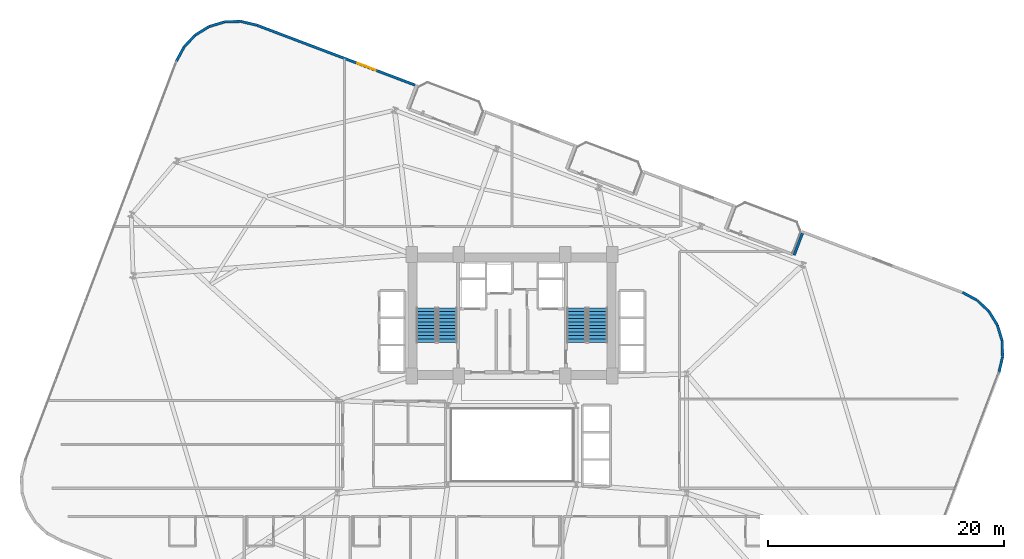
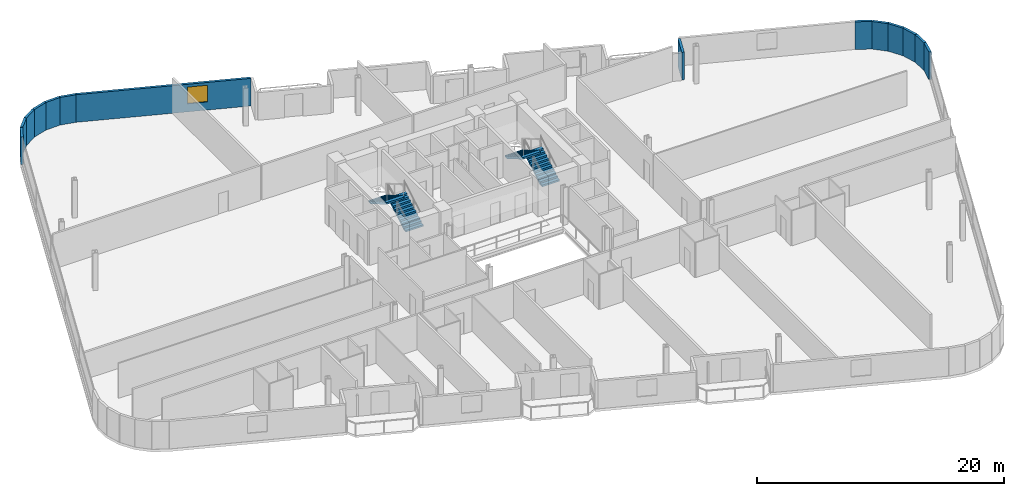
# One storey, part 21 of 25: 14 walls, 4 stair flights, 1 window, 1 opening, 2 elements without a shape of their own.
"""IFC4 building model written with IfcOpenShell, lengths in metres."""

from ifc_helpers import new_model, si_unit, direction, frame, frame_2d, origin, place, context, subcontext, project, spatial, polyline, rectangle, outline, extrude, material, layer, layer_set, type_object, element, fill, aggregate, save


model = new_model("IFC4")

# Units and contexts
model_context = context("Model", 3, precision=1e-05, world=origin(), true_north=direction((0.0, 1.0)))
body_context = subcontext(model_context, "Body", "Model", "MODEL_VIEW")
ifc_project = project(units=[si_unit("LENGTHUNIT", "METRE"), si_unit("AREAUNIT", "SQUARE_METRE"), si_unit("VOLUMEUNIT", "CUBIC_METRE"), si_unit("PLANEANGLEUNIT", "RADIAN"), si_unit("MASSUNIT", "GRAM", prefix="KILO")], contexts=[model_context])

# Site, building, storey
site_placement = place(None, origin())
site = spatial("IfcSite", under=ifc_project, at=site_placement, CompositionType="ELEMENT")
building_placement = place(site_placement, origin())
building = spatial("IfcBuilding", under=site, at=building_placement, Name="Varnelok Gate Tower", CompositionType="ELEMENT")
storey_placement = place(building_placement, frame((0.0, 0.0, 83.60009765625)))
storey = spatial("IfcBuildingStorey", under=building, at=storey_placement, Name="L20", CompositionType="ELEMENT", Elevation=83.60009765625)

# Walls
ifc_material_1 = material(Name="Concrete C45/55", Category="concrete")
ifc_layer = layer(ifc_material_1, 0.219970703125)
ifc_layer_set = layer_set([ifc_layer], Name="Concrete C45/55")
wall_type = type_object("IfcWallType", Name="EW-BALC-220", PredefinedType="SOLIDWALL", material=ifc_layer_set)
wall_1_placement = place(storey_placement, frame((80.47265625, 29.0283203125, 0.0), z_axis=(0.0, 0.0, 1.0), x_axis=(0.228881345311, 0.973454328548, 0.0)))
element("IfcWall", 1, at=wall_1_placement, inside=storey, type_object=wall_type, Name="L20 Perimeter Facade Closure Wall 23", PredefinedType="SOLIDWALL", context=body_context, shape_type="SweptSolid", body=[
    extrude(rectangle(XDim=1.378173828125, YDim=0.219970703125, at=frame_2d((0.68896484375, 0.0))), origin(), (0.0, 0.0, 1.0), 2.72998046875),
])
for number, where, z_axis, x_axis, name in (
    (2, (80.787353515625, 30.39501953125, 0.0), (0.0, 0.0, 1.0), (-0.030857297317, 0.999523800218, 0.0), "L20 Perimeter Facade Closure Wall 24"),
    (3, (80.738525390625, 31.771240234375, 0.0), (0.0, 0.0, 1.0), (-0.28832436625, 0.957532798303, 0.0), "L20 Perimeter Facade Closure Wall 25"),
    (4, (80.335205078125, 33.088134765625, 0.0), (0.0, 0.0, 1.0), (-0.526491260456, 0.850180541217, 0.0), "L20 Perimeter Facade Closure Wall 26"),
    (5, (79.6044921875, 34.255615234375, 0.0), (0.0, 0.0, 1.0), (-0.72842773461, 0.685122642634, 0.0), "L20 Perimeter Facade Closure Wall 27"),
):
    element("IfcWall", number, at=place(storey_placement, frame(where, z_axis=z_axis, x_axis=x_axis)), inside=storey, type_object=wall_type, Name=name, PredefinedType="SOLIDWALL", context=body_context, shape_type="SweptSolid", body=[
        extrude(rectangle(XDim=1.35302734375, YDim=0.219970703125, at=frame_2d((0.676513671875, 0.0))), origin(), (0.0, 0.0, 1.0), 2.72998046875),
    ])
wall_2_placement = place(storey_placement, frame((78.5966796875, 35.1943359375, 0.0), z_axis=(0.0, 0.0, 1.0), x_axis=(-0.880948732004, 0.473211719614, 0.0)))
element("IfcWall", 6, at=wall_2_placement, inside=storey, type_object=wall_type, Name="L20 Perimeter Facade Closure Wall 28", PredefinedType="SOLIDWALL", context=body_context, shape_type="SweptSolid", body=[
    extrude(rectangle(XDim=1.361083984375, YDim=0.219970703125, at=frame_2d((0.6806640625, 0.0))), origin(), (0.0, 0.0, 1.0), 2.72998046875),
])
wall_3_placement = place(storey_placement, frame((63.81884765625, 40.845458984375, 0.0), z_axis=(0.0, 0.0, 1.0), x_axis=(-0.354128791944, -0.935196663123, 0.0)))
element("IfcWall", 7, at=wall_3_placement, inside=storey, type_object=wall_type, Name="L20 Perimeter Facade Closure Wall 30", PredefinedType="SOLIDWALL", context=body_context, shape_type="SweptSolid", body=[
    extrude(rectangle(XDim=1.97509765625, YDim=0.219970703125, at=frame_2d((0.987548828125, 0.0))), origin(), (0.0, 0.0, 1.0), 2.72998046875),
])

# Wall, opening, window
wall_4_placement = place(storey_placement, frame((30.97607421875, 53.412841796875, 0.0), z_axis=(0.0, 0.0, 1.0), x_axis=(-0.935220327379, 0.354066292178, 0.0)))
wall_4 = element("IfcWall", 8, at=wall_4_placement, inside=storey, type_object=wall_type, Name="L20 Perimeter Facade Closure Wall 38", PredefinedType="SOLIDWALL", context=body_context, shape_type="SweptSolid", body=[
    extrude(rectangle(XDim=14.34716796875, YDim=0.219970703125, at=frame_2d((7.173583984375, 0.0))), origin(), (0.0, 0.0, 1.0), 2.72998046875),
])
opening_placement = place(wall_4_placement, frame((3.55517578125, 0.0, 0.800048828125)))
opening = element("IfcOpeningElement", 9, at=opening_placement, cuts=wall_4, Name="Opening WN3", PredefinedType="OPENING", context=body_context, shape_type="SweptSolid", body=[
    extrude(rectangle(XDim=1.64990234375, YDim=1.64990234375, at=frame_2d((0.824951171875, 0.824951171875))), frame((0.0, 0.119873046875, 0.0), z_axis=(0.0, -1.0, 0.0), x_axis=(1.0, 0.0, 0.0)), (0.0, 0.0, 1.0), 0.239990234375),
])
ifc_material_2 = material(Name="Low-E Laminated Double Glazing IGU", Category="glass")
window_type = type_object("IfcWindowType", Name="WN-HTL-1650", PartitioningType="SINGLE_PANEL", PredefinedType="WINDOW", material=ifc_material_2)
window_placement = place(opening_placement, origin())
window = element("IfcWindow", 10, at=window_placement, inside=storey, type_object=window_type, Name="L20 Perimeter Vision Window 38", OverallHeight=1.64990234375, OverallWidth=1.64990234375, PartitioningType="SINGLE_PANEL", PredefinedType="WINDOW", context=body_context, shape_type="SweptSolid", body=[
    extrude(rectangle(XDim=1.64990234375, YDim=1.64990234375, at=frame_2d((0.824951171875, 0.824951171875))), frame((0.0, 0.030029296875, 0.0), z_axis=(0.0, -1.0, 0.0), x_axis=(1.0, 0.0, 0.0)), (0.0, 0.0, 1.0), 0.06005859375),
])
fill(opening, window)

# Walls
wall_5_placement = place(storey_placement, frame((17.533935546875, 58.498291015625, 0.0), z_axis=(0.0, 0.0, 1.0), x_axis=(-0.973414815952, 0.229049331117, 0.0)))
element("IfcWall", 11, at=wall_5_placement, inside=storey, type_object=wall_type, Name="L20 Perimeter Facade Closure Wall 39", PredefinedType="SOLIDWALL", context=body_context, shape_type="SweptSolid", body=[
    extrude(rectangle(XDim=1.361083984375, YDim=0.219970703125, at=frame_2d((0.6806640625, 0.0))), origin(), (0.0, 0.0, 1.0), 2.72998046875),
])
wall_6_placement = place(storey_placement, frame((16.18408203125, 58.809326171875, 0.0), z_axis=(0.0, 0.0, 1.0), x_axis=(-0.999523971993, -0.03085173271, 0.0)))
element("IfcWall", 12, at=wall_6_placement, inside=storey, type_object=wall_type, Name="L20 Perimeter Facade Closure Wall 40", PredefinedType="SOLIDWALL", context=body_context, shape_type="SweptSolid", body=[
    extrude(rectangle(XDim=1.353271484375, YDim=0.219970703125, at=frame_2d((0.6767578125, 0.0))), origin(), (0.0, 0.0, 1.0), 2.72998046875),
])
for number, where, z_axis, x_axis, name in (
    (13, (14.8076171875, 58.76025390625, 0.0), (0.0, 0.0, 1.0), (-0.957532798303, -0.28832436625, 0.0), "L20 Perimeter Facade Closure Wall 41"),
    (14, (13.49072265625, 58.35693359375, 0.0), (0.0, 0.0, 1.0), (-0.850261301096, -0.526360826676, 0.0), "L20 Perimeter Facade Closure Wall 42"),
    (15, (12.3232421875, 57.62646484375, 0.0), (0.0, 0.0, 1.0), (-0.684936830459, -0.728602455583, 0.0), "L20 Perimeter Facade Closure Wall 43"),
    (16, (11.384521484375, 56.61865234375, 0.0), (0.0, 0.0, 1.0), (-0.473077364598, -0.881020889142, 0.0), "L20 Perimeter Facade Closure Wall 44"),
):
    element("IfcWall", number, at=place(storey_placement, frame(where, z_axis=z_axis, x_axis=x_axis)), inside=storey, type_object=wall_type, Name=name, PredefinedType="SOLIDWALL", context=body_context, shape_type="SweptSolid", body=[
        extrude(rectangle(XDim=1.35302734375, YDim=0.219970703125, at=frame_2d((0.676513671875, 0.0))), origin(), (0.0, 0.0, 1.0), 2.72998046875),
    ])

# Stair, stair flights
ifc_material_3 = material(Name="Concrete C50/60", Category="concrete")
stair_type = type_object("IfcStairType", Name="STR-CORE-1650", PredefinedType="HALF_TURN_STAIR", material=ifc_material_3)
stair_1_placement = place(storey_placement, origin())
stair_1 = element("IfcStair", 17, at=stair_1_placement, inside=storey, type_object=stair_type, Name="L20 Exit Stair ST-1", PredefinedType="HALF_TURN_STAIR")
stair_flight_type = type_object("IfcStairFlightType", Name="SFL-CORE-1650", PredefinedType="STRAIGHT", material=ifc_material_3)
stair_flight_1_placement = place(storey_placement, frame((33.72509765625, 31.60009765625, 0.0), z_axis=(0.0, 0.0, 1.0), x_axis=(0.0, 1.0, 0.0)))
stair_flight_1 = element("IfcStairFlight", 18, at=stair_flight_1_placement, type_object=stair_flight_type, Name="ST-1 flight 1", NumberOfRisers=11, NumberOfTreads=10, PredefinedType="STRAIGHT", RiserHeight=0.168181818, TreadLength=0.29, context=body_context, shape_type="SweptSolid", body=[
    extrude(outline(polyline([(0.0, 0.0), (0.0, 0.168212890625), (0.2900390625, 0.168212890625), (0.2900390625, 0.33642578125), (0.580078125, 0.33642578125), (0.580078125, 0.504638671875), (0.8701171875, 0.504638671875), (0.8701171875, 0.672607421875), (1.159912109375, 0.672607421875), (1.159912109375, 0.8408203125), (1.449951171875, 0.8408203125), (1.449951171875, 1.009033203125), (1.739990234375, 1.009033203125), (1.739990234375, 1.17724609375), (2.030029296875, 1.17724609375), (2.030029296875, 1.345458984375), (2.320068359375, 1.345458984375), (2.320068359375, 1.513671875), (2.610107421875, 1.513671875), (2.610107421875, 1.681884765625), (2.89990234375, 1.681884765625), (2.89990234375, 1.85009765625), (2.89990234375, 1.508544921875), (0.298828125, 0.0), (0.0, 0.0)])), frame((0.0, 0.824951171875, 0.0), z_axis=(0.0, -1.0, 0.0), x_axis=(1.0, 0.0, 0.0)), (0.0, 0.0, 1.0), 1.64990234375),
])
stair_flight_2_placement = place(storey_placement, frame((31.925048828125, 34.5, 1.849853515625), z_axis=(0.0, 0.0, 1.0), x_axis=(0.0, -1.0, 0.0)))
stair_flight_2 = element("IfcStairFlight", 19, at=stair_flight_2_placement, type_object=stair_flight_type, Name="ST-1 flight 2", NumberOfRisers=11, NumberOfTreads=10, PredefinedType="STRAIGHT", RiserHeight=0.168181818, TreadLength=0.29, context=body_context, shape_type="SweptSolid", body=[
    extrude(outline(polyline([(0.0, 0.0), (0.0, 0.168212890625), (0.2900390625, 0.168212890625), (0.2900390625, 0.33642578125), (0.580078125, 0.33642578125), (0.580078125, 0.504638671875), (0.8701171875, 0.504638671875), (0.8701171875, 0.672607421875), (1.159912109375, 0.672607421875), (1.159912109375, 0.8408203125), (1.449951171875, 0.8408203125), (1.449951171875, 1.009033203125), (1.739990234375, 1.009033203125), (1.739990234375, 1.17724609375), (2.030029296875, 1.17724609375), (2.030029296875, 1.345458984375), (2.320068359375, 1.345458984375), (2.320068359375, 1.513671875), (2.610107421875, 1.513671875), (2.610107421875, 1.681884765625), (2.89990234375, 1.681884765625), (2.89990234375, 1.85009765625), (2.89990234375, 1.508544921875), (0.298828125, 0.0), (0.0, 0.0)])), frame((0.0, 0.824951171875, 0.0), z_axis=(0.0, -1.0, 0.0), x_axis=(1.0, 0.0, 0.0)), (0.0, 0.0, 1.0), 1.64990234375),
])
aggregate(stair_1, [stair_flight_1, stair_flight_2])

stair_2_placement = place(storey_placement, origin())
stair_2 = element("IfcStair", 20, at=stair_2_placement, inside=storey, type_object=stair_type, Name="L20 Exit Stair ST-2", PredefinedType="HALF_TURN_STAIR")
stair_flight_3_placement = place(storey_placement, frame((46.47509765625, 31.60009765625, 0.0), z_axis=(0.0, 0.0, 1.0), x_axis=(0.0, 1.0, 0.0)))
stair_flight_3 = element("IfcStairFlight", 21, at=stair_flight_3_placement, type_object=stair_flight_type, Name="ST-2 flight 1", NumberOfRisers=11, NumberOfTreads=10, PredefinedType="STRAIGHT", RiserHeight=0.168181818, TreadLength=0.29, context=body_context, shape_type="SweptSolid", body=[
    extrude(outline(polyline([(0.0, 0.0), (0.0, 0.168212890625), (0.2900390625, 0.168212890625), (0.2900390625, 0.33642578125), (0.580078125, 0.33642578125), (0.580078125, 0.504638671875), (0.8701171875, 0.504638671875), (0.8701171875, 0.672607421875), (1.159912109375, 0.672607421875), (1.159912109375, 0.8408203125), (1.449951171875, 0.8408203125), (1.449951171875, 1.009033203125), (1.739990234375, 1.009033203125), (1.739990234375, 1.17724609375), (2.030029296875, 1.17724609375), (2.030029296875, 1.345458984375), (2.320068359375, 1.345458984375), (2.320068359375, 1.513671875), (2.610107421875, 1.513671875), (2.610107421875, 1.681884765625), (2.89990234375, 1.681884765625), (2.89990234375, 1.85009765625), (2.89990234375, 1.508544921875), (0.298828125, 0.0), (0.0, 0.0)])), frame((0.0, 0.824951171875, 0.0), z_axis=(0.0, -1.0, 0.0), x_axis=(1.0, 0.0, 0.0)), (0.0, 0.0, 1.0), 1.64990234375),
])
stair_flight_4_placement = place(storey_placement, frame((44.675048828125, 34.5, 1.849853515625), z_axis=(0.0, 0.0, 1.0), x_axis=(0.0, -1.0, 0.0)))
stair_flight_4 = element("IfcStairFlight", 22, at=stair_flight_4_placement, type_object=stair_flight_type, Name="ST-2 flight 2", NumberOfRisers=11, NumberOfTreads=10, PredefinedType="STRAIGHT", RiserHeight=0.168181818, TreadLength=0.29, context=body_context, shape_type="SweptSolid", body=[
    extrude(outline(polyline([(0.0, 0.0), (0.0, 0.168212890625), (0.2900390625, 0.168212890625), (0.2900390625, 0.33642578125), (0.580078125, 0.33642578125), (0.580078125, 0.504638671875), (0.8701171875, 0.504638671875), (0.8701171875, 0.672607421875), (1.159912109375, 0.672607421875), (1.159912109375, 0.8408203125), (1.449951171875, 0.8408203125), (1.449951171875, 1.009033203125), (1.739990234375, 1.009033203125), (1.739990234375, 1.17724609375), (2.030029296875, 1.17724609375), (2.030029296875, 1.345458984375), (2.320068359375, 1.345458984375), (2.320068359375, 1.513671875), (2.610107421875, 1.513671875), (2.610107421875, 1.681884765625), (2.89990234375, 1.681884765625), (2.89990234375, 1.85009765625), (2.89990234375, 1.508544921875), (0.298828125, 0.0), (0.0, 0.0)])), frame((0.0, 0.824951171875, 0.0), z_axis=(0.0, -1.0, 0.0), x_axis=(1.0, 0.0, 0.0)), (0.0, 0.0, 1.0), 1.64990234375),
])
aggregate(stair_2, [stair_flight_3, stair_flight_4])

save(model, "model.ifc")
